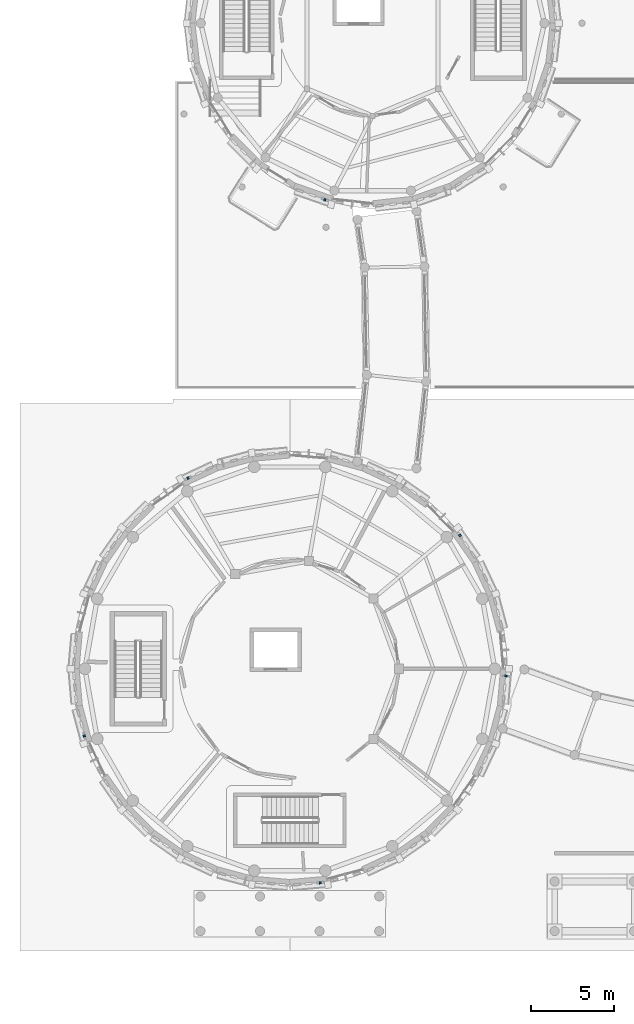
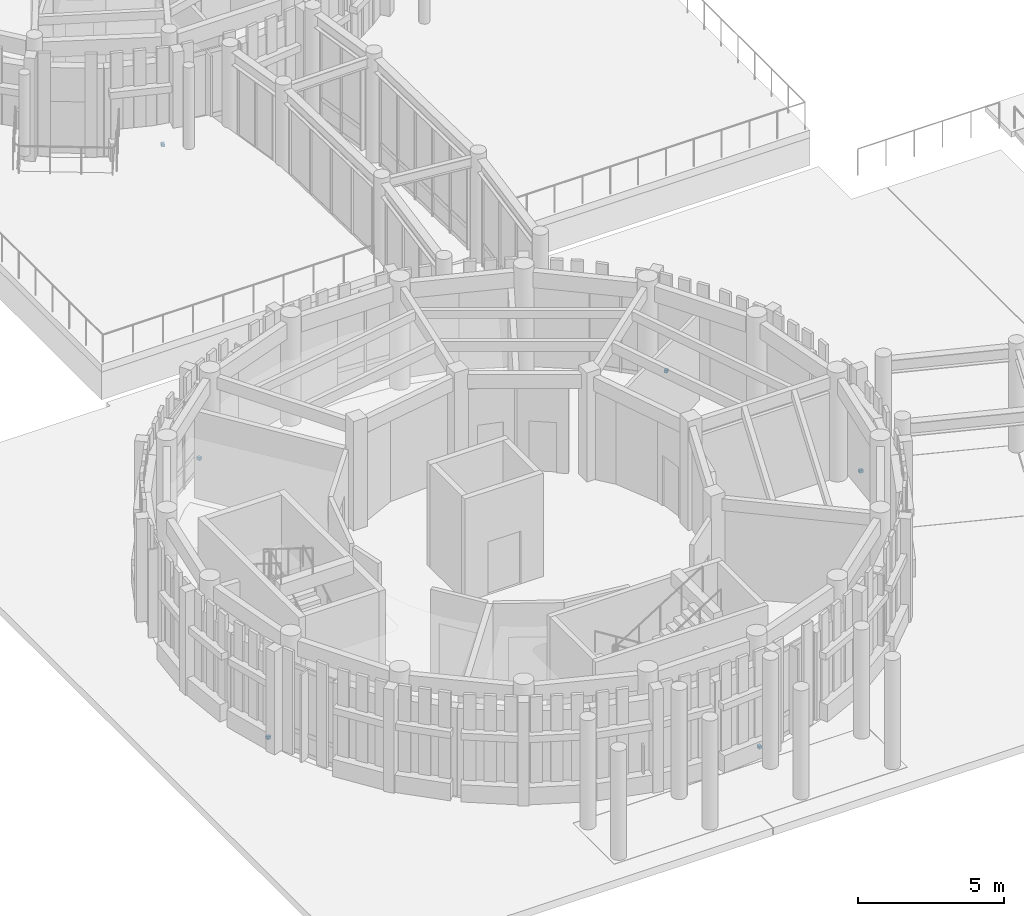
# One storey, part 59 of 94: 6 discrete accessories.
"""IFC4 building model written with IfcOpenShell, lengths in metres."""

from ifc_helpers import new_model, si_unit, direction, frame, origin, origin_2d, place, context, subcontext, project, spatial, rectangle, extrude, material, type_object, element, save


model = new_model("IFC4")

# Units and contexts
model_context = context("Model", 3, precision=1e-05, world=origin(), true_north=direction((0.0, 1.0)))
body_context = subcontext(model_context, "Body", "Model", "MODEL_VIEW")
ifc_project = project(units=[si_unit("LENGTHUNIT", "METRE"), si_unit("AREAUNIT", "SQUARE_METRE"), si_unit("VOLUMEUNIT", "CUBIC_METRE"), si_unit("PLANEANGLEUNIT", "RADIAN"), si_unit("MASSUNIT", "GRAM", prefix="KILO")], contexts=[model_context])

# Site, building, storey
site_placement = place(None, origin())
site = spatial("IfcSite", under=ifc_project, at=site_placement, CompositionType="ELEMENT")
building_placement = place(site_placement, origin())
building = spatial("IfcBuilding", under=site, at=building_placement, Name="Aldenvaro Health Centre", CompositionType="ELEMENT")
storey_placement = place(building_placement, origin())
storey = spatial("IfcBuildingStorey", under=building, at=storey_placement, Name="L00", CompositionType="ELEMENT", Elevation=0.0)

# Discrete accessories
ifc_material = material(Name="Stainless Steel AISI 316", Category="steel")
discrete_accessory_type = type_object("IfcDiscreteAccessoryType", Name="ACC-BRK-01", PredefinedType="BRACKET", material=ifc_material)
for number, where, z_axis, x_axis, name in (
    (1, (20.615966796875, 46.83203125, 0.18994140625), (0.0, 0.0, 1.0), (-0.943909441385, 0.330204431323, 0.0), "D3 L00 stainless fin bracket 9"),
    (2, (31.552978515625, 18.06494140625, 0.18994140625), (0.0, 0.0, 1.0), (-0.087166950289, -0.996193717495, 0.0), "D5 L00 stainless fin bracket 1"),
    (3, (20.337890625, 5.570068359375, 0.18994140625), (0.0, 0.0, 1.0), (-0.996193717495, -0.087166950289, 0.0), "D5 L00 stainless fin bracket 9"),
    (4, (6.0859375, 14.445068359375, 0.18994140625), (0.0, 0.0, 1.0), (-0.258825000966, 0.9659242304, 0.0), "D5 L00 stainless fin bracket 17"),
    (5, (12.35009765625, 30.02197265625, 0.18994140625), (0.0, 0.0, 1.0), (0.906364844733, 0.422495879545, 0.0), "D5 L00 stainless fin bracket 25"),
    (6, (28.779052734375, 26.556884765625, 0.18994140625), (0.0, 0.0, 1.0), (0.573641397746, -0.819106553991, 0.0), "D5 L00 stainless fin bracket 33"),
):
    element("IfcDiscreteAccessory", number, at=place(storey_placement, frame(where, z_axis=z_axis, x_axis=x_axis)), inside=storey, type_object=discrete_accessory_type, Name=name, PredefinedType="BRACKET", context=body_context, shape_type="SweptSolid", body=[
        extrude(rectangle(XDim=0.1201171875, YDim=0.139892578125, at=origin_2d()), origin(), (0.0, 0.0, 1.0), 0.1201171875),
    ])

save(model, "model.ifc")
